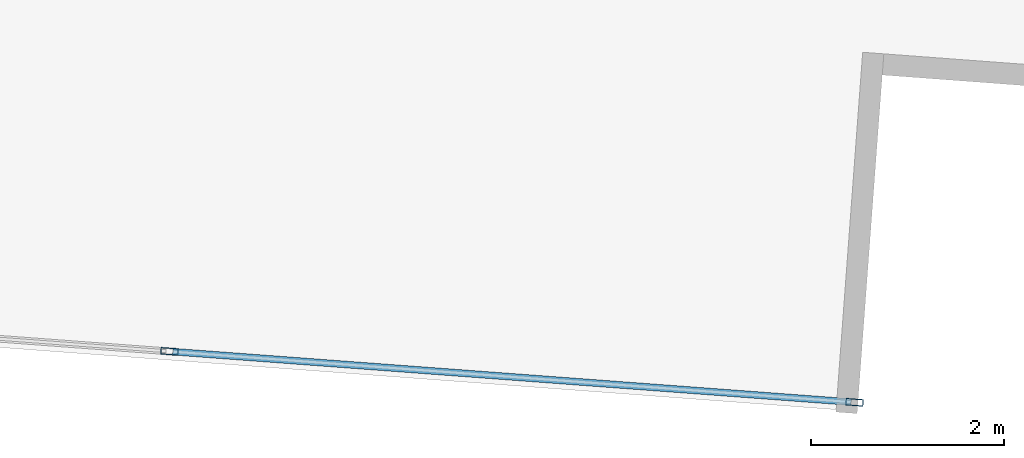
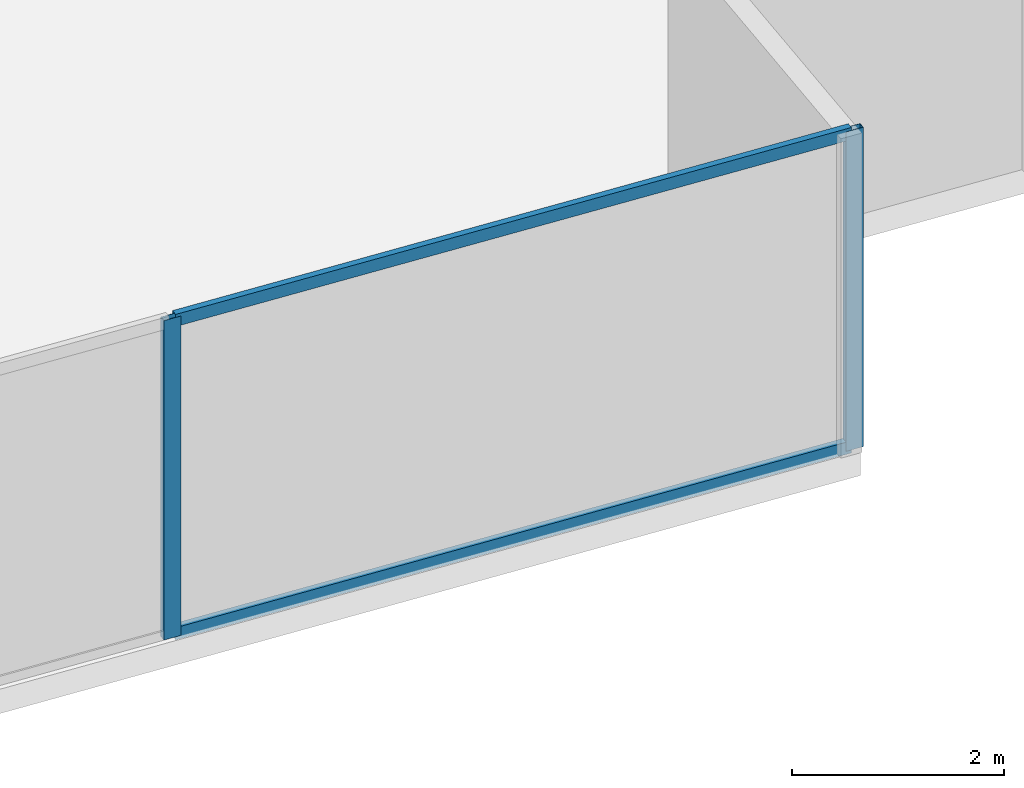
# One storey, part 12 of 30: 4 members, 1 element without a shape of its own.
"""IFC4 building model written with IfcOpenShell, lengths in metres."""

from ifc_helpers import new_model, si_unit, direction, frame, origin, origin_2d, place, context, subcontext, project, spatial, hollow_rectangle, extrude, source, transform, mapped, material, material_profile, profile_set, type_object, type_shapes, element, aggregate, save


model = new_model("IFC4")

# Units and contexts
model_context = context("Model", 3, precision=1e-05, world=origin(), true_north=direction((0.0, 1.0)))
body_context = subcontext(model_context, "Body", "Model", "MODEL_VIEW")
ifc_project = project(units=[si_unit("LENGTHUNIT", "METRE"), si_unit("AREAUNIT", "SQUARE_METRE"), si_unit("VOLUMEUNIT", "CUBIC_METRE"), si_unit("PLANEANGLEUNIT", "RADIAN"), si_unit("MASSUNIT", "GRAM", prefix="KILO")], contexts=[model_context])

# Site, building, storey
site_placement = place(None, origin())
site = spatial("IfcSite", under=ifc_project, at=site_placement, CompositionType="ELEMENT")
building_placement = place(site_placement, origin())
building = spatial("IfcBuilding", under=site, at=building_placement, Name="Krantzveldt Concourse Tower", CompositionType="ELEMENT")
storey_placement = place(building_placement, frame((0.0, 0.0, 52.64990234375)))
storey = spatial("IfcBuildingStorey", under=building, at=storey_placement, Name="L12", CompositionType="ELEMENT", Elevation=52.64990234375)

# Curtain wall, members
ifc_material = material(Name="Anodised aluminium 6063-T6", Category="aluminium")
curtain_wall_type = type_object("IfcCurtainWallType", Name="CW2", PredefinedType="USERDEFINED", material=ifc_material)
curtain_wall_placement = place(storey_placement, origin())
curtain_wall = element("IfcCurtainWall", 1, at=curtain_wall_placement, inside=storey, type_object=curtain_wall_type, Name="CW-L12-F04", ObjectType="UNITISED CURTAIN WALL", PredefinedType="USERDEFINED")
ifc_material_profile_1 = material_profile(ifc_material, hollow_rectangle(XDim=0.070068359375, YDim=0.179931640625, WallThickness=0.0048828125, at=origin_2d()), Name="Anodised aluminium 6063-T6", Category="aluminium")
ifc_profile_set_1 = profile_set([ifc_material_profile_1], Name="Anodised aluminium 6063-T6 - ALU-MULL 180x70x5")
member_type_1 = type_object("IfcMemberType", Name="CW-MUL-180", PredefinedType="MULLION", material=ifc_profile_set_1)
shared_shape_1 = source(origin(), body_context, "Body", "SweptSolid", [
    extrude(hollow_rectangle(XDim=0.070068359375, YDim=0.179931640625, WallThickness=0.0048828125, at=origin_2d()), origin(), (0.0, 0.0, 1.0), 3.670166015625),
])
type_shapes(member_type_1, [shared_shape_1])
member_1_placement = place(storey_placement, frame((48.447998046875, 0.79638671875, 0.0), z_axis=(0.0, 0.0, 1.0), x_axis=(0.07410860051, 0.997250176902, 0.0)))
member_1 = element("IfcMember", 2, at=member_1_placement, type_object=member_type_1, Name="CW-Z12 mullion 6", PredefinedType="MULLION", context=body_context, shape_type="MappedRepresentation", body=[
    mapped(shared_shape_1, transform((0.0, 0.0, 0.0), x_axis=(1.0, 0.0, 0.0), y_axis=(0.0, 1.0, 0.0), z_axis=(0.0, 0.0, 1.0), scale=1.0)),
])
member_2_placement = place(storey_placement, frame((55.559814453125, 0.267822265625, 0.0), z_axis=(0.0, 0.0, 1.0), x_axis=(0.07410860051, 0.997250176902, 0.0)))
member_2 = element("IfcMember", 3, at=member_2_placement, type_object=member_type_1, Name="CW-Z12 mullion 7", PredefinedType="MULLION", context=body_context, shape_type="MappedRepresentation", body=[
    mapped(shared_shape_1, transform((0.0, 0.0, 0.0), x_axis=(1.0, 0.0, 0.0), y_axis=(0.0, 1.0, 0.0), z_axis=(0.0, 0.0, 1.0), scale=1.0)),
])
ifc_material_profile_2 = material_profile(ifc_material, hollow_rectangle(XDim=0.070068359375, YDim=0.139892578125, WallThickness=0.0048828125, at=origin_2d()), Name="Anodised aluminium 6063-T6", Category="aluminium")
ifc_profile_set_2 = profile_set([ifc_material_profile_2], Name="Anodised aluminium 6063-T6 - ALU-TRAN 140x70x5")
member_type_2 = type_object("IfcMemberType", Name="CW-TRN-150", PredefinedType="USERDEFINED", material=ifc_profile_set_2)
shared_shape_2 = source(origin(), body_context, "Body", "SweptSolid", [
    extrude(hollow_rectangle(XDim=0.070068359375, YDim=0.139892578125, WallThickness=0.0048828125, at=origin_2d()), origin(), (0.0, 0.0, 1.0), 7.06201171875),
])
type_shapes(member_type_2, [shared_shape_2])
member_3_placement = place(storey_placement, frame((48.482666015625, 0.793701171875, 0.03515625), z_axis=(0.997249234786, -0.074121277105, 0.0), x_axis=(0.074121277105, 0.997249234786, 0.0)))
member_3 = element("IfcMember", 4, at=member_3_placement, type_object=member_type_2, Name="CW-Z12 transom 6.1", ObjectType="TRANSOM", PredefinedType="USERDEFINED", context=body_context, shape_type="MappedRepresentation", body=[
    mapped(shared_shape_2, transform((0.0, 0.0, 0.0), x_axis=(1.0, 0.0, 0.0), y_axis=(0.0, 1.0, 0.0), z_axis=(0.0, 0.0, 1.0), scale=1.0)),
])
member_4_placement = place(storey_placement, frame((48.482666015625, 0.793701171875, 3.635009765625), z_axis=(0.997249234786, -0.074121277105, 0.0), x_axis=(0.074121277105, 0.997249234786, 0.0)))
member_4 = element("IfcMember", 5, at=member_4_placement, type_object=member_type_2, Name="CW-Z12 transom 6.2", ObjectType="TRANSOM", PredefinedType="USERDEFINED", context=body_context, shape_type="MappedRepresentation", body=[
    mapped(shared_shape_2, transform((0.0, 0.0, 0.0), x_axis=(1.0, 0.0, 0.0), y_axis=(0.0, 1.0, 0.0), z_axis=(0.0, 0.0, 1.0), scale=1.0)),
])
aggregate(curtain_wall, [member_1, member_2, member_3, member_4])

save(model, "model.ifc")
